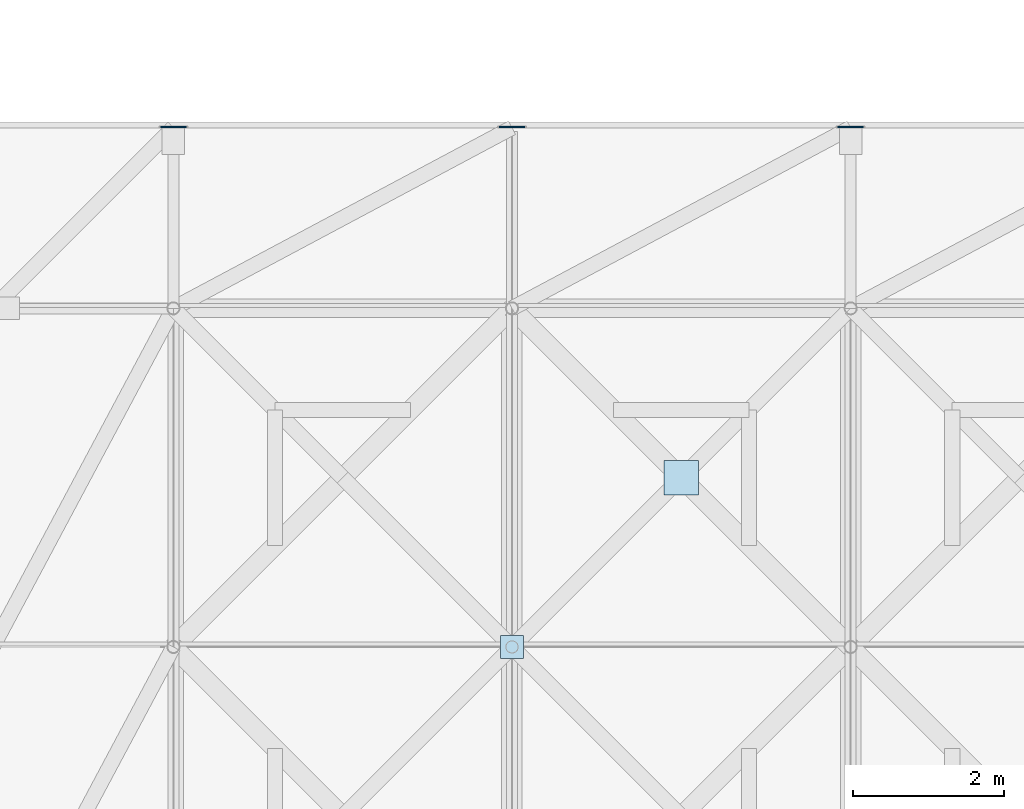
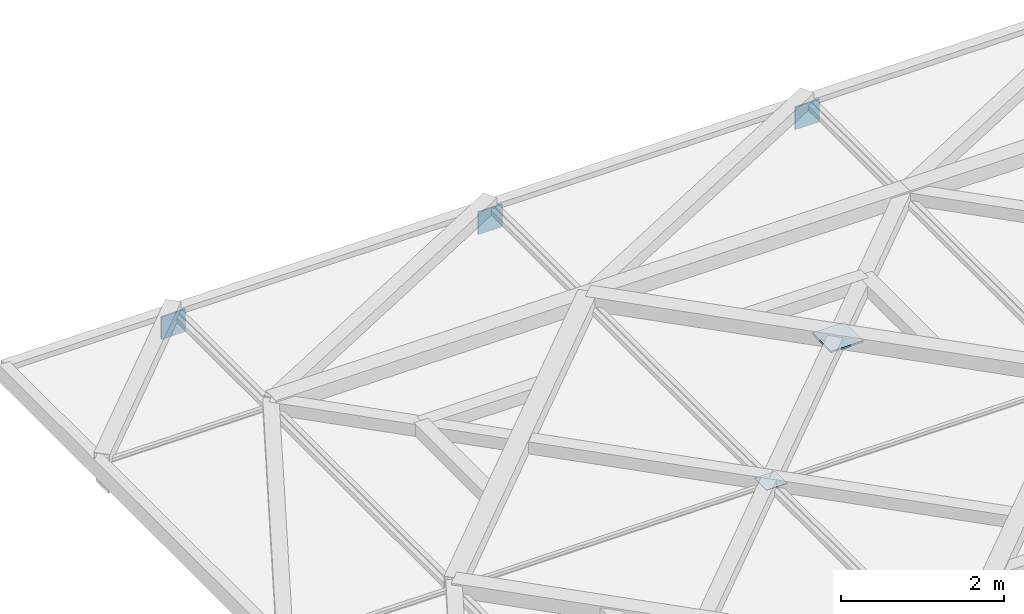
# One storey, part 66 of 80: 5 plates.
"""IFC4 building model written with IfcOpenShell, lengths in metres."""

import ifcopenshell
import ifcopenshell.guid

model = None  # the IFC model being written
_history = None  # IfcOwnerHistory: only IFC2X3 demands one
_inside = {}  # id of a spatial element -> (the spatial element, [elements in it])
_under = {}  # id of a project, library or spatial element -> (it, [spatial elements below it])
_declared = {}  # id of a project -> (the project, [libraries it declares])
_typed = {}  # id of a type object -> (the type object, [elements of that type])
_made_of = {}  # id of a material, layer set ... -> (it, [elements and type objects made of it])


def new_model(schema):
    """Start an empty IFC model of exactly this schema.

    Asked for "IFC4X3", IfcOpenShell would pick the latest addendum, in which some entities
    have other attributes; the version numbers below select the first issue.
    IFC2X3 requires an IfcOwnerHistory on every rooted entity: one is made here for all.
    """
    global model, _history
    if schema == "IFC4X3":
        model = ifcopenshell.file(schema_version=(4, 3, 0, 0))
    else:
        model = ifcopenshell.file(schema=schema)
    _inside.clear()
    _under.clear()
    _declared.clear()
    _typed.clear()
    _made_of.clear()
    _history = None
    if model.schema == "IFC2X3":
        org = make("IfcOrganization", Name="unknown")
        user = make(
            "IfcPersonAndOrganization",
            ThePerson=make("IfcPerson", FamilyName="unknown"),
            TheOrganization=org,
        )
        app = make(
            "IfcApplication",
            ApplicationDeveloper=org,
            Version="unknown",
            ApplicationFullName="unknown",
            ApplicationIdentifier="unknown",
        )
        _history = make(
            "IfcOwnerHistory",
            OwningUser=user,
            OwningApplication=app,
            ChangeAction="ADDED",
            CreationDate=0,
        )
    return model


def make(cls, **values):
    """One entity of the class cls with the attributes given. An attribute that is None is left unset."""
    return model.create_entity(
        cls, **{name: value for name, value in values.items() if value is not None}
    )


def rooted(cls, **values):
    """An entity with a GlobalId (a new one), such as an element, a storey or a relation."""
    return make(cls, GlobalId=ifcopenshell.guid.new(), OwnerHistory=_history, **values)


def si_unit(unit_type, name, prefix=None):
    """IfcSIUnit, for example si_unit("LENGTHUNIT", "METRE", prefix="MILLI")."""
    return make("IfcSIUnit", UnitType=unit_type, Prefix=prefix, Name=name)


def assignment(units):
    """IfcUnitAssignment: the units of a project."""
    return None if units is None else make("IfcUnitAssignment", Units=units)


def point(xyz):
    """IfcCartesianPoint."""
    return None if xyz is None else make("IfcCartesianPoint", Coordinates=xyz)


def direction(xyz):
    """IfcDirection."""
    return None if xyz is None else make("IfcDirection", DirectionRatios=xyz)


def frame(location, z_axis=None, x_axis=None):
    """IfcAxis2Placement3D, a coordinate frame: its origin and axes. An axis left out is left unset."""
    return make(
        "IfcAxis2Placement3D",
        Location=point(location),
        Axis=direction(z_axis),
        RefDirection=direction(x_axis),
    )


def frame_2d(location, x_axis=None):
    """IfcAxis2Placement2D, a coordinate frame in the plane: its origin and x axis."""
    return make(
        "IfcAxis2Placement2D", Location=point(location), RefDirection=direction(x_axis)
    )


def origin():
    """The frame at (0, 0, 0) with its axes left unset."""
    return frame((0.0, 0.0, 0.0))


def origin_2d():
    """The frame at (0, 0) in the plane with its x axis left unset."""
    return frame_2d((0.0, 0.0))


def place(relative_to, where):
    """IfcLocalPlacement: puts the frame where relative to a parent placement (None: the world)."""
    return make(
        "IfcLocalPlacement", PlacementRelTo=relative_to, RelativePlacement=where
    )


def context(
    kind, dimensions, precision=None, world=None, true_north=None, identifier=None
):
    """IfcGeometricRepresentationContext, for example the 3D "Model" context."""
    return make(
        "IfcGeometricRepresentationContext",
        ContextIdentifier=identifier,
        ContextType=kind,
        CoordinateSpaceDimension=dimensions,
        Precision=precision,
        WorldCoordinateSystem=world,
        TrueNorth=true_north,
    )


def subcontext(parent, identifier, kind, view, scale=None):
    """IfcGeometricRepresentationSubContext, for example "Body" below "Model"."""
    return make(
        "IfcGeometricRepresentationSubContext",
        ContextIdentifier=identifier,
        ContextType=kind,
        ParentContext=parent,
        TargetScale=scale,
        TargetView=view,
    )


def project(units=None, contexts=None):
    """IfcProject with its units and contexts."""
    return rooted(
        "IfcProject",
        Name="project",
        RepresentationContexts=contexts,
        UnitsInContext=assignment(units),
    )


def spatial(cls, under=None, at=None, **own):
    """A site, building, storey or space (cls), placed at a placement, below another one or the project."""
    s = rooted(cls, ObjectPlacement=at, **own)
    if under is not None:
        _under.setdefault(under.id(), (under, []))[1].append(s)
    return s


def profile(cls, at=None, kind="AREA", **sizes):
    """A parametric profile (cls). Its sizes go by their IFC names, for example OverallWidth=200.0."""
    return make(cls, ProfileType=kind, Position=at, **sizes)


def rectangle(**sizes):
    """IfcRectangleProfileDef."""
    return profile("IfcRectangleProfileDef", **sizes)


def extrude(swept, where, along, depth):
    """IfcExtrudedAreaSolid: the profile swept, set in the frame where, extruded along a direction by depth."""
    return make(
        "IfcExtrudedAreaSolid",
        SweptArea=swept,
        Position=where,
        ExtrudedDirection=direction(along),
        Depth=depth,
    )


def shape(context_of_items, identifier, shape_type, items):
    """IfcShapeRepresentation: the items that make up one representation, for example the "Body"."""
    return make(
        "IfcShapeRepresentation",
        ContextOfItems=context_of_items,
        RepresentationIdentifier=identifier,
        RepresentationType=shape_type,
        Items=items,
    )


def material(Name=None, Category=None):
    """IfcMaterial."""
    return make("IfcMaterial", Name=Name, Category=Category)


def layer(
    of_material, thickness, ventilated=None, Name=None, Category=None, Priority=None
):
    """IfcMaterialLayer: one layer of a wall or slab, of a material (None: an air gap)."""
    return make(
        "IfcMaterialLayer",
        Material=of_material,
        LayerThickness=thickness,
        IsVentilated=ventilated,
        Name=Name,
        Category=Category,
        Priority=Priority,
    )


def layer_set(layers, Name=None):
    """IfcMaterialLayerSet."""
    return make("IfcMaterialLayerSet", MaterialLayers=layers, LayerSetName=Name)


def made_of(thing, what):
    """Note that an element or type object is made of a material, layer set ...; save() writes the relation."""
    if what is not None:
        _made_of.setdefault(what.id(), (what, []))[1].append(thing)
    return thing


def type_object(cls, material=None, **own):
    """A type object (cls), such as IfcWallType, which elements share."""
    return made_of(rooted(cls, **own), material)


def element(
    cls,
    number,
    at=None,
    inside=None,
    cuts=None,
    type_object=None,
    material=None,
    context=None,
    identifier="Body",
    shape_type=None,
    held_by="IfcProductDefinitionShape",
    body=None,
    shapes=None,
    **own,
):
    """One element of the class cls, such as IfcWall. Its Tag is "e" and its number.

    at: its placement. inside: the storey or other place that contains it. cuts: it is an
    opening in that element (IfcRelVoidsElement). A single representation is given by context,
    identifier, shape_type and body (its items); several are given by shapes. held_by: the class
    of the entity that holds the representations. save() writes the other relations.
    """
    e = rooted(cls, Tag="e%d" % number, ObjectPlacement=at, **own)
    if body is not None:
        shapes = [shape(context, identifier, shape_type, body)]
    if shapes is not None:
        e.Representation = make(held_by, Representations=shapes)
    if inside is not None:
        _inside.setdefault(inside.id(), (inside, []))[1].append(e)
    if cuts is not None:
        rooted(
            "IfcRelVoidsElement", RelatingBuildingElement=cuts, RelatedOpeningElement=e
        )
    if type_object is not None:
        _typed.setdefault(type_object.id(), (type_object, []))[1].append(e)
    return made_of(e, material)


def aggregate(whole, parts):
    """IfcRelAggregates: a whole, such as a stair, and the parts it consists of."""
    return rooted("IfcRelAggregates", RelatingObject=whole, RelatedObjects=parts)


def save(model, path):
    """Write the relations noted so far, then the file.

    IfcRelAggregates (storeys below a building ...), IfcRelContainedInSpatialStructure (elements
    in a storey), IfcRelDefinesByType, IfcRelAssociatesMaterial and IfcRelDeclares: one each for
    every whole, place, type object, material and project.
    """
    for whole, parts in _under.values():
        aggregate(whole, parts)
    for where, things in _inside.values():
        rooted(
            "IfcRelContainedInSpatialStructure",
            RelatedElements=things,
            RelatingStructure=where,
        )
    for kind, things in _typed.values():
        rooted("IfcRelDefinesByType", RelatedObjects=things, RelatingType=kind)
    for what, things in _made_of.values():
        rooted("IfcRelAssociatesMaterial", RelatedObjects=things, RelatingMaterial=what)
    for by, libraries in _declared.values():
        rooted("IfcRelDeclares", RelatingContext=by, RelatedDefinitions=libraries)
    model.write(path)


model = new_model("IFC4")

# Units and contexts
model_context = context("Model", 3, precision=1e-05, world=origin(), true_north=direction((0.0, 1.0)))
body_context = subcontext(model_context, "Body", "Model", "MODEL_VIEW")
ifc_project = project(units=[si_unit("LENGTHUNIT", "METRE"), si_unit("AREAUNIT", "SQUARE_METRE"), si_unit("VOLUMEUNIT", "CUBIC_METRE"), si_unit("PLANEANGLEUNIT", "RADIAN"), si_unit("MASSUNIT", "GRAM", prefix="KILO"), si_unit("THERMODYNAMICTEMPERATUREUNIT", "KELVIN"), si_unit("POWERUNIT", "WATT")], contexts=[model_context])

# Site, building, storey
site_placement = place(None, origin())
site = spatial("IfcSite", under=ifc_project, at=site_placement, CompositionType="ELEMENT")
building_placement = place(site_placement, origin())
building = spatial("IfcBuilding", under=site, at=building_placement, Name="Tallowbark Science Centre", CompositionType="ELEMENT")
storey_placement = place(building_placement, frame((0.0, 0.0, 25.949951171875)))
storey = spatial("IfcBuildingStorey", under=building, at=storey_placement, Name="ROOF", CompositionType="ELEMENT", Elevation=25.949951171875)

# Plates
ifc_material = material(Name="Structural Steel Grade 300PLUS (300 MPa)", Category="steel")
ifc_layer_1 = layer(ifc_material, 0.010009765625)
ifc_layer_set_1 = layer_set([ifc_layer_1], Name="Structural Steel Grade 300PLUS (300 MPa)")
plate_type_1 = type_object("IfcPlateType", Name="PLT-GUS-10", PredefinedType="SHEET", material=ifc_layer_set_1)
plate_1_placement = place(storey_placement, frame((63.0, 36.0, 0.44482421875), z_axis=(0.0, 0.0, 1.0), x_axis=(1.0, 0.0, 0.0)))
element("IfcPlate", 1, at=plate_1_placement, inside=storey, type_object=plate_type_1, Name="Star X-Brace Crossing Gusset Plate TOP-57", PredefinedType="SHEET", context=body_context, shape_type="SweptSolid", body=[
    extrude(rectangle(XDim=0.300048828125, YDim=0.300048828125, at=origin_2d()), origin(), (0.0, 0.0, 1.0), 0.010009765625),
])
ifc_layer_2 = layer(ifc_material, 0.02001953125)
ifc_layer_set_2 = layer_set([ifc_layer_2], Name="Structural Steel Grade 300PLUS (300 MPa)")
plate_type_2 = type_object("IfcPlateType", Name="PLT-GUS-20B", PredefinedType="SHEET", material=ifc_layer_set_2)
for number, where, z_axis, x_axis, name in (
    (2, (58.5, 42.907958984375, 0.02001953125), (0.0, 0.0, 1.0), (1.0, 0.0, 0.0), "Truss Eave End Cap Plate N-1"),
    (3, (63.0, 42.907958984375, 0.02001953125), (0.0, 0.0, 1.0), (1.0, 0.0, 0.0), "Truss Eave End Cap Plate N-2"),
    (4, (67.5, 42.907958984375, 0.02001953125), (0.0, 0.0, 1.0), (1.0, 0.0, 0.0), "Truss Eave End Cap Plate N-3"),
):
    element("IfcPlate", number, at=place(storey_placement, frame(where, z_axis=z_axis, x_axis=x_axis)), inside=storey, type_object=plate_type_2, Name=name, PredefinedType="SHEET", context=body_context, shape_type="SweptSolid", body=[
        extrude(rectangle(XDim=0.340087890625, YDim=0.02001953125, at=origin_2d()), origin(), (0.0, 0.0, 1.0), 0.340087890625),
    ])
ifc_layer_3 = layer(ifc_material, 0.02587890625)
ifc_layer_set_3 = layer_set([ifc_layer_3], Name="Structural Steel Grade 300PLUS (300 MPa)")
plate_type_3 = type_object("IfcPlateType", Name="PLT-GUS-26", PredefinedType="SHEET", material=ifc_layer_set_3)
plate_2_placement = place(storey_placement, frame((65.25, 38.25, 0.43701171875), z_axis=(0.0, 0.0, 1.0), x_axis=(1.0, 0.0, 0.0)))
element("IfcPlate", 5, at=plate_2_placement, inside=storey, type_object=plate_type_3, Name="Star Primary Chord Crossing Gusset Plate TOP-57", PredefinedType="SHEET", context=body_context, shape_type="SweptSolid", body=[
    extrude(rectangle(XDim=0.4599609375, YDim=0.4599609375, at=origin_2d()), origin(), (0.0, 0.0, 1.0), 0.02587890625),
])

save(model, "model.ifc")
